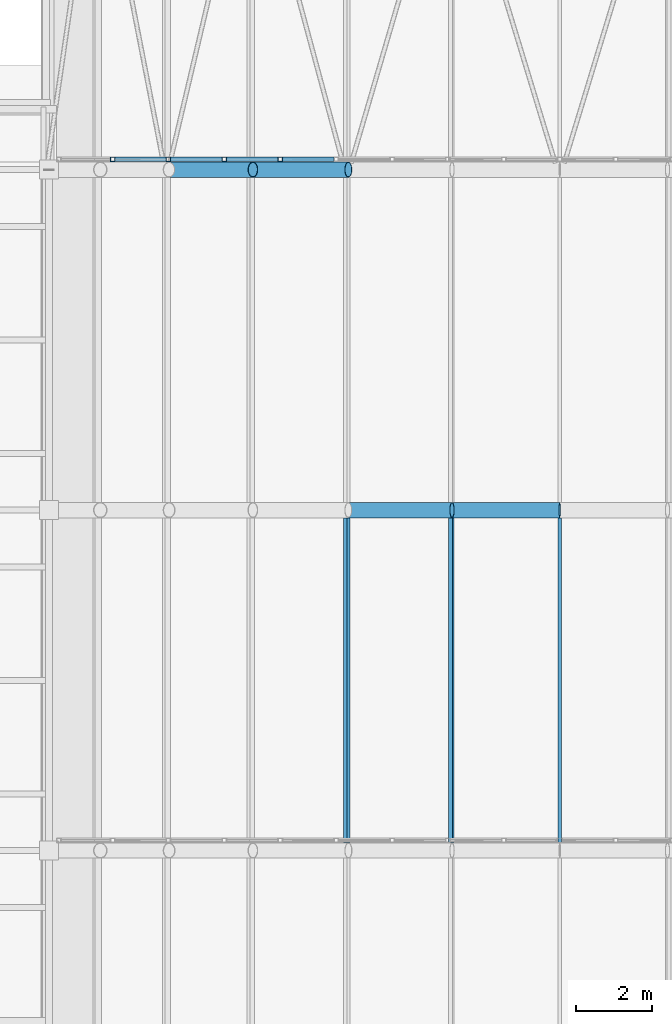
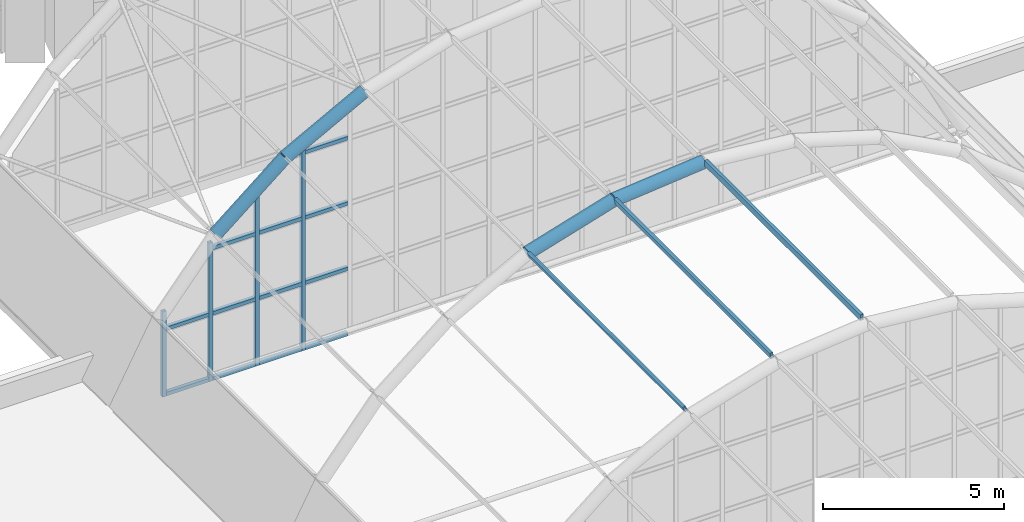
# One storey, part 39 of 121: 23 members, 1 element without a shape of its own.
"""IFC4 building model written with IfcOpenShell, lengths in metres."""

from ifc_helpers import new_model, si_unit, direction, frame, origin, origin_2d, place, context, subcontext, project, spatial, hollow_rectangle, hollow_circle, extrude, material, material_profile, profile_set, type_object, element, aggregate, save


model = new_model("IFC4")

# Units and contexts
model_context = context("Model", 3, precision=1e-05, world=origin(), true_north=direction((0.0, 1.0)))
body_context = subcontext(model_context, "Body", "Model", "MODEL_VIEW")
ifc_project = project(units=[si_unit("LENGTHUNIT", "METRE"), si_unit("AREAUNIT", "SQUARE_METRE"), si_unit("VOLUMEUNIT", "CUBIC_METRE"), si_unit("PLANEANGLEUNIT", "RADIAN"), si_unit("MASSUNIT", "GRAM", prefix="KILO")], contexts=[model_context])

# Site, building, storey
site_placement = place(None, origin())
site = spatial("IfcSite", under=ifc_project, at=site_placement, CompositionType="ELEMENT")
building_placement = place(site_placement, origin())
building = spatial("IfcBuilding", under=site, at=building_placement, Name="Golden Quay Civic Hall", CompositionType="ELEMENT")
storey_placement = place(building_placement, frame((0.0, 0.0, 18.60009765625)))
storey = spatial("IfcBuildingStorey", under=building, at=storey_placement, Name="L04", CompositionType="ELEMENT", Elevation=18.60009765625)

# Curtain wall, members
ifc_material_1 = material(Name="Fire-resisting glass and steel", Category="steel")
curtain_wall_type = type_object("IfcCurtainWallType", Name="Fire-resisting glazed curtain wall EI 120", PredefinedType="NOTDEFINED", material=ifc_material_1)
curtain_wall_placement = place(storey_placement, origin())
curtain_wall = element("IfcCurtainWall", 1, at=curtain_wall_placement, inside=storey, type_object=curtain_wall_type, Name="Curtain wall tympanum fire3", PredefinedType="NOTDEFINED")
ifc_material_2 = material(Name="Steel S355", Category="steel")
ifc_material_profile_1 = material_profile(ifc_material_2, hollow_rectangle(XDim=0.1201171875, YDim=0.1201171875, WallThickness=0.008056640625, at=origin_2d()), Name="SHS 120x120x8")
ifc_profile_set_1 = profile_set([ifc_material_profile_1], Name="Steel S355")
member_type_1 = type_object("IfcMemberType", Name="Fire-resisting steel mullion SHS 120x120x8", PredefinedType="MULLION", material=ifc_profile_set_1)
member_1_placement = place(storey_placement, frame((73.677734375, 54.27001953125, -0.25), z_axis=(0.0, 0.0, 1.0), x_axis=(0.0, 1.0, 0.0)))
member_1 = element("IfcMember", 2, at=member_1_placement, type_object=member_type_1, Name="Tympanum mullion 2", PredefinedType="MULLION", context=body_context, shape_type="SweptSolid", body=[
    extrude(hollow_rectangle(XDim=0.1201171875, YDim=0.1201171875, WallThickness=0.008056640625, at=origin_2d()), origin(), (0.0, 0.0, 1.0), 2.8720703125),
])
member_2_placement = place(storey_placement, frame((75.155517578125, 54.27001953125, -0.25), z_axis=(0.0, 0.0, 1.0), x_axis=(0.0, 1.0, 0.0)))
member_2 = element("IfcMember", 3, at=member_2_placement, type_object=member_type_1, Name="Tympanum mullion 3", PredefinedType="MULLION", context=body_context, shape_type="SweptSolid", body=[
    extrude(hollow_rectangle(XDim=0.1201171875, YDim=0.1201171875, WallThickness=0.008056640625, at=origin_2d()), origin(), (0.0, 0.0, 1.0), 4.6669921875),
])
member_3_placement = place(storey_placement, frame((76.63330078125, 54.27001953125, -0.25), z_axis=(0.0, 0.0, 1.0), x_axis=(0.0, 1.0, 0.0)))
member_3 = element("IfcMember", 4, at=member_3_placement, type_object=member_type_1, Name="Tympanum mullion 4", PredefinedType="MULLION", context=body_context, shape_type="SweptSolid", body=[
    extrude(hollow_rectangle(XDim=0.1201171875, YDim=0.1201171875, WallThickness=0.008056640625, at=origin_2d()), origin(), (0.0, 0.0, 1.0), 5.964599609375),
])
member_4_placement = place(storey_placement, frame((78.111083984375, 54.27001953125, -0.25), z_axis=(0.0, 0.0, 1.0), x_axis=(0.0, 1.0, 0.0)))
member_4 = element("IfcMember", 5, at=member_4_placement, type_object=member_type_1, Name="Tympanum mullion 5", PredefinedType="MULLION", context=body_context, shape_type="SweptSolid", body=[
    extrude(hollow_rectangle(XDim=0.1201171875, YDim=0.1201171875, WallThickness=0.008056640625, at=origin_2d()), origin(), (0.0, 0.0, 1.0), 7.017333984375),
])
ifc_material_3 = material(Name="Steel S355", Category="steel")
ifc_material_profile_2 = material_profile(ifc_material_3, hollow_rectangle(XDim=0.1201171875, YDim=0.1201171875, WallThickness=0.008056640625, at=origin_2d()), Name="SHS 120x120x8")
ifc_profile_set_2 = profile_set([ifc_material_profile_2], Name="Steel S355")
member_type_2 = type_object("IfcMemberType", Name="Fire-resisting steel transom SHS 120x120x8", PredefinedType="USERDEFINED", material=ifc_profile_set_2)
member_5_placement = place(storey_placement, frame((73.73779296875, 54.27001953125, -0.190185546875), z_axis=(1.0, 0.0, 0.0), x_axis=(0.0, 1.0, 0.0)))
member_5 = element("IfcMember", 6, at=member_5_placement, type_object=member_type_2, Name="Tympanum transom 2.1", ObjectType="TRANSOM", PredefinedType="USERDEFINED", context=body_context, shape_type="SweptSolid", body=[
    extrude(hollow_rectangle(XDim=0.1201171875, YDim=0.1201171875, WallThickness=0.008056640625, at=origin_2d()), origin(), (0.0, 0.0, 1.0), 1.357666015625),
])
member_6_placement = place(storey_placement, frame((73.73779296875, 54.27001953125, 2.010009765625), z_axis=(1.0, 0.0, 0.0), x_axis=(0.0, 1.0, 0.0)))
member_6 = element("IfcMember", 7, at=member_6_placement, type_object=member_type_2, Name="Tympanum transom 2.2", ObjectType="TRANSOM", PredefinedType="USERDEFINED", context=body_context, shape_type="SweptSolid", body=[
    extrude(hollow_rectangle(XDim=0.1201171875, YDim=0.1201171875, WallThickness=0.008056640625, at=origin_2d()), origin(), (0.0, 0.0, 1.0), 1.357666015625),
])
member_7_placement = place(storey_placement, frame((75.215576171875, 54.27001953125, -0.190185546875), z_axis=(1.0, 0.0, 0.0), x_axis=(0.0, 1.0, 0.0)))
member_7 = element("IfcMember", 8, at=member_7_placement, type_object=member_type_2, Name="Tympanum transom 3.1", ObjectType="TRANSOM", PredefinedType="USERDEFINED", context=body_context, shape_type="SweptSolid", body=[
    extrude(hollow_rectangle(XDim=0.1201171875, YDim=0.1201171875, WallThickness=0.008056640625, at=origin_2d()), origin(), (0.0, 0.0, 1.0), 1.357666015625),
])
member_8_placement = place(storey_placement, frame((75.215576171875, 54.27001953125, 2.010009765625), z_axis=(1.0, 0.0, 0.0), x_axis=(0.0, 1.0, 0.0)))
member_8 = element("IfcMember", 9, at=member_8_placement, type_object=member_type_2, Name="Tympanum transom 3.2", ObjectType="TRANSOM", PredefinedType="USERDEFINED", context=body_context, shape_type="SweptSolid", body=[
    extrude(hollow_rectangle(XDim=0.1201171875, YDim=0.1201171875, WallThickness=0.008056640625, at=origin_2d()), origin(), (0.0, 0.0, 1.0), 1.357666015625),
])
member_9_placement = place(storey_placement, frame((75.215576171875, 54.27001953125, 4.2099609375), z_axis=(1.0, 0.0, 0.0), x_axis=(0.0, 1.0, 0.0)))
member_9 = element("IfcMember", 10, at=member_9_placement, type_object=member_type_2, Name="Tympanum transom 3.3", ObjectType="TRANSOM", PredefinedType="USERDEFINED", context=body_context, shape_type="SweptSolid", body=[
    extrude(hollow_rectangle(XDim=0.1201171875, YDim=0.1201171875, WallThickness=0.008056640625, at=origin_2d()), origin(), (0.0, 0.0, 1.0), 1.357666015625),
])
member_10_placement = place(storey_placement, frame((76.693359375, 54.27001953125, -0.190185546875), z_axis=(1.0, 0.0, 0.0), x_axis=(0.0, 1.0, 0.0)))
member_10 = element("IfcMember", 11, at=member_10_placement, type_object=member_type_2, Name="Tympanum transom 4.1", ObjectType="TRANSOM", PredefinedType="USERDEFINED", context=body_context, shape_type="SweptSolid", body=[
    extrude(hollow_rectangle(XDim=0.1201171875, YDim=0.1201171875, WallThickness=0.008056640625, at=origin_2d()), origin(), (0.0, 0.0, 1.0), 1.357666015625),
])
member_11_placement = place(storey_placement, frame((76.693359375, 54.27001953125, 2.010009765625), z_axis=(1.0, 0.0, 0.0), x_axis=(0.0, 1.0, 0.0)))
member_11 = element("IfcMember", 12, at=member_11_placement, type_object=member_type_2, Name="Tympanum transom 4.2", ObjectType="TRANSOM", PredefinedType="USERDEFINED", context=body_context, shape_type="SweptSolid", body=[
    extrude(hollow_rectangle(XDim=0.1201171875, YDim=0.1201171875, WallThickness=0.008056640625, at=origin_2d()), origin(), (0.0, 0.0, 1.0), 1.357666015625),
])
member_12_placement = place(storey_placement, frame((76.693359375, 54.27001953125, 4.2099609375), z_axis=(1.0, 0.0, 0.0), x_axis=(0.0, 1.0, 0.0)))
member_12 = element("IfcMember", 13, at=member_12_placement, type_object=member_type_2, Name="Tympanum transom 4.3", ObjectType="TRANSOM", PredefinedType="USERDEFINED", context=body_context, shape_type="SweptSolid", body=[
    extrude(hollow_rectangle(XDim=0.1201171875, YDim=0.1201171875, WallThickness=0.008056640625, at=origin_2d()), origin(), (0.0, 0.0, 1.0), 1.357666015625),
])
member_13_placement = place(storey_placement, frame((78.171142578125, 54.27001953125, -0.190185546875), z_axis=(1.0, 0.0, 0.0), x_axis=(0.0, 1.0, 0.0)))
member_13 = element("IfcMember", 14, at=member_13_placement, type_object=member_type_2, Name="Tympanum transom 5.1", ObjectType="TRANSOM", PredefinedType="USERDEFINED", context=body_context, shape_type="SweptSolid", body=[
    extrude(hollow_rectangle(XDim=0.1201171875, YDim=0.1201171875, WallThickness=0.008056640625, at=origin_2d()), origin(), (0.0, 0.0, 1.0), 1.357666015625),
])
member_14_placement = place(storey_placement, frame((78.171142578125, 54.27001953125, 2.010009765625), z_axis=(1.0, 0.0, 0.0), x_axis=(0.0, 1.0, 0.0)))
member_14 = element("IfcMember", 15, at=member_14_placement, type_object=member_type_2, Name="Tympanum transom 5.2", ObjectType="TRANSOM", PredefinedType="USERDEFINED", context=body_context, shape_type="SweptSolid", body=[
    extrude(hollow_rectangle(XDim=0.1201171875, YDim=0.1201171875, WallThickness=0.008056640625, at=origin_2d()), origin(), (0.0, 0.0, 1.0), 1.357666015625),
])
member_15_placement = place(storey_placement, frame((78.171142578125, 54.27001953125, 4.2099609375), z_axis=(1.0, 0.0, 0.0), x_axis=(0.0, 1.0, 0.0)))
member_15 = element("IfcMember", 16, at=member_15_placement, type_object=member_type_2, Name="Tympanum transom 5.3", ObjectType="TRANSOM", PredefinedType="USERDEFINED", context=body_context, shape_type="SweptSolid", body=[
    extrude(hollow_rectangle(XDim=0.1201171875, YDim=0.1201171875, WallThickness=0.008056640625, at=origin_2d()), origin(), (0.0, 0.0, 1.0), 1.357666015625),
])
member_16_placement = place(storey_placement, frame((78.171142578125, 54.27001953125, 6.409912109375), z_axis=(1.0, 0.0, 0.0), x_axis=(0.0, 1.0, 0.0)))
member_16 = element("IfcMember", 17, at=member_16_placement, type_object=member_type_2, Name="Tympanum transom 5.4", ObjectType="TRANSOM", PredefinedType="USERDEFINED", context=body_context, shape_type="SweptSolid", body=[
    extrude(hollow_rectangle(XDim=0.1201171875, YDim=0.1201171875, WallThickness=0.008056640625, at=origin_2d()), origin(), (0.0, 0.0, 1.0), 1.357666015625),
])
aggregate(curtain_wall, [member_1, member_2, member_3, member_4, member_5, member_6, member_7, member_8, member_9, member_10, member_11, member_12, member_13, member_14, member_15, member_16])

# Members
ifc_material_4 = material(Name="Steel S355", Category="steel")
ifc_material_profile_3 = material_profile(ifc_material_4, hollow_circle(Radius=0.203125, WallThickness=0.01611328125, at=origin_2d()), Name="CHS 406.4x16")
ifc_profile_set_3 = profile_set([ifc_material_profile_3], Name="Steel S355")
member_type_3 = type_object("IfcMemberType", Name="Steel arch rib CHS 406.4x16", PredefinedType="USERDEFINED", material=ifc_profile_set_3)
member_17_placement = place(storey_placement, frame((79.91259765625, 45.0, 7.990478515625), z_axis=(0.957095401463, 0.0, 0.289773001673), x_axis=(0.0, 1.0, 0.0)))
element("IfcMember", 18, at=member_17_placement, inside=storey, type_object=member_type_3, Name="Arch rib 6 segment 5", ObjectType="ARCH RIB", PredefinedType="USERDEFINED", context=body_context, shape_type="SweptSolid", body=[
    extrude(hollow_circle(Radius=0.203125, WallThickness=0.01611328125, at=origin_2d()), origin(), (0.0, 0.0, 1.0), 2.862060546875),
])
for number, where, z_axis, x_axis, name in (
    (19, (82.65185546875, 45.0, 8.81982421875), (0.995201360973, 0.0, 0.097848102266), (0.0, 1.0, 0.0), "Arch rib 6 segment 6"),
    (20, (75.173095703125, 54.0, 4.830810546875), (0.773786223221, 0.0, 0.633446825514), (0.0, 1.0, 0.0), "Arch rib 7 segment 3"),
    (21, (77.387451171875, 54.0, 6.6435546875), (0.882326964097, 0.0, 0.470636939082), (0.0, 1.0, 0.0), "Arch rib 7 segment 4"),
):
    element("IfcMember", number, at=place(storey_placement, frame(where, z_axis=z_axis, x_axis=x_axis)), inside=storey, type_object=member_type_3, Name=name, ObjectType="ARCH RIB", PredefinedType="USERDEFINED", context=body_context, shape_type="SweptSolid", body=[
        extrude(hollow_circle(Radius=0.203125, WallThickness=0.01611328125, at=origin_2d()), origin(), (0.0, 0.0, 1.0), 2.86181640625),
    ])
ifc_material_5 = material(Name="Steel S355", Category="steel")
ifc_material_profile_4 = material_profile(ifc_material_5, hollow_rectangle(XDim=0.10009765625, YDim=0.199951171875, WallThickness=0.008056640625, at=origin_2d()), Name="RHS 200x100x8")
ifc_profile_set_4 = profile_set([ifc_material_profile_4], Name="Steel S355")
member_type_4 = type_object("IfcMemberType", Name="Steel purlin RHS 200x100x8", PredefinedType="PURLIN", material=ifc_profile_set_4)
for number, where, z_axis, x_axis, name in (
    (22, (79.873291015625, 36.203125, 8.0859375), (0.0, 1.0, 0.0), (-0.924146170615, 0.0, -0.382039075668), "Purlin 5.5"),
    (23, (82.631591796875, 36.203125, 8.921142578125), (0.0, 1.0, 0.0), (-0.98085324351, 0.0, -0.194748336824), "Purlin 5.6"),
    (24, (85.5, 36.203125, 9.203125), (0.0, 1.0, 0.0), (-1.0, 0.0, 0.0), "Purlin 5.7"),
):
    element("IfcMember", number, at=place(storey_placement, frame(where, z_axis=z_axis, x_axis=x_axis)), inside=storey, type_object=member_type_4, Name=name, PredefinedType="PURLIN", context=body_context, shape_type="SweptSolid", body=[
        extrude(hollow_rectangle(XDim=0.10009765625, YDim=0.199951171875, WallThickness=0.008056640625, at=origin_2d()), origin(), (0.0, 0.0, 1.0), 8.59375),
    ])

save(model, "model.ifc")
